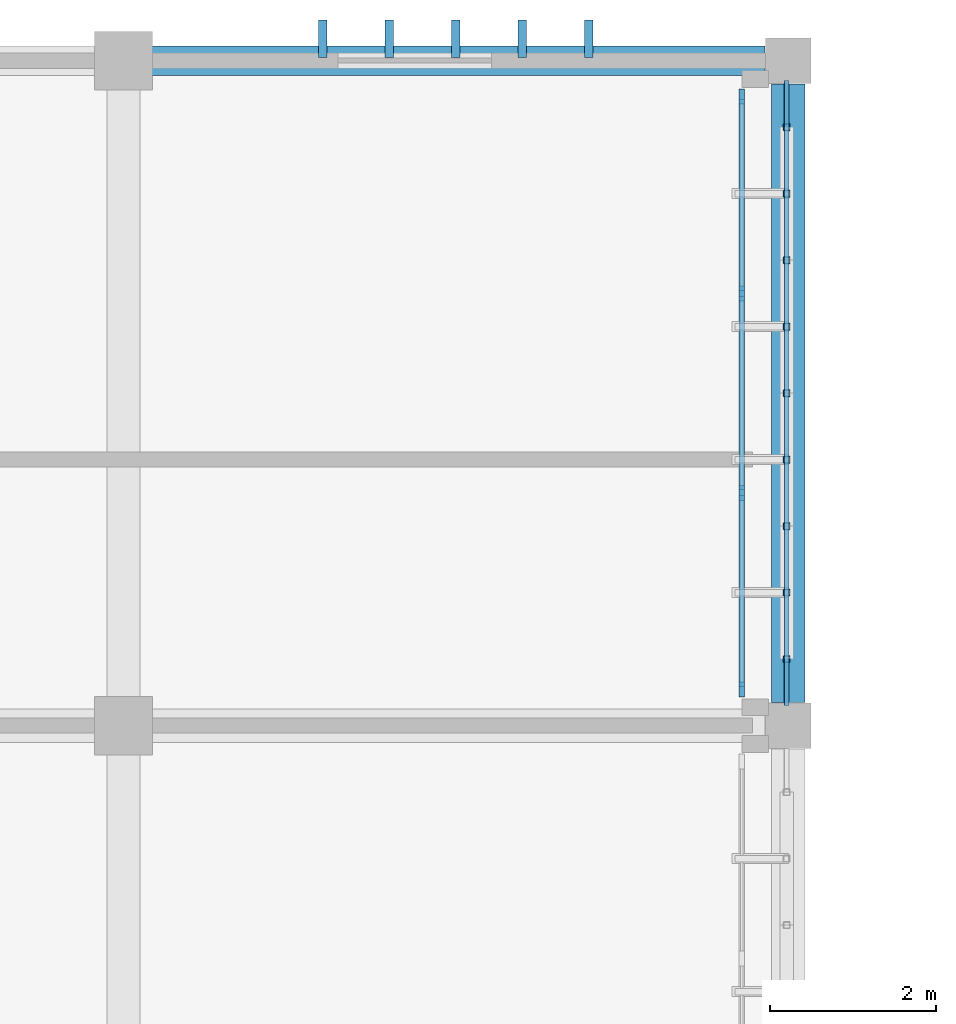
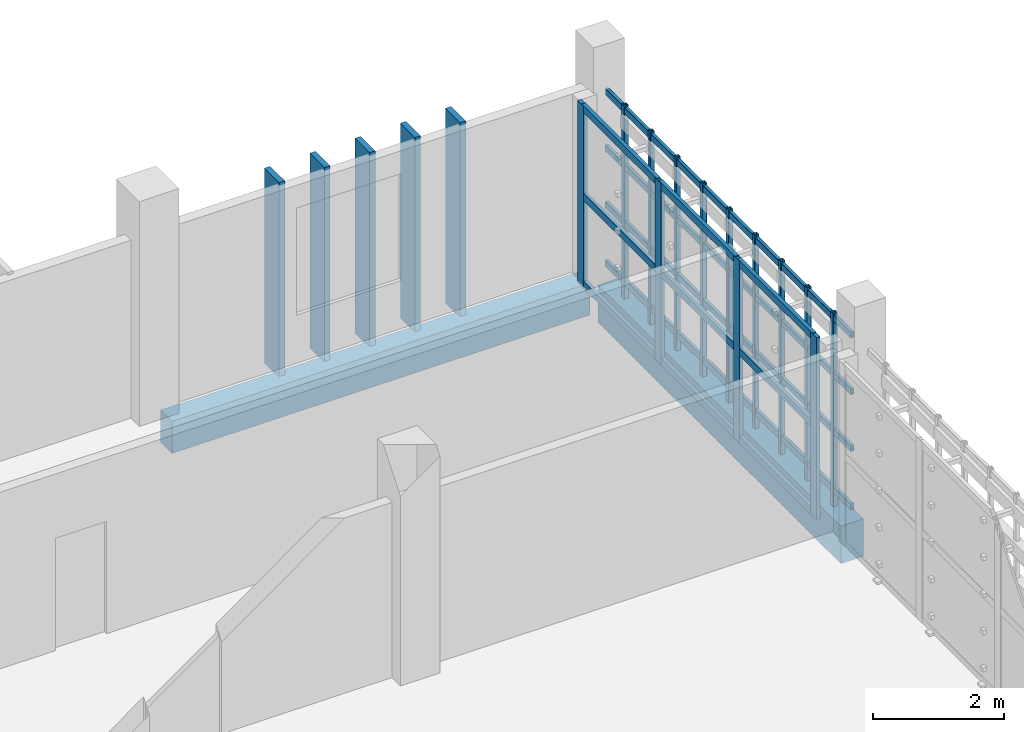
# One storey, part 55 of 83: 31 members, 2 beams, 1 element without a shape of its own.
"""IFC4 building model written with IfcOpenShell, lengths in metres."""

from ifc_helpers import new_model, si_unit, direction, frame, origin, origin_2d, place, context, subcontext, project, spatial, rectangle, hollow_rectangle, extrude, material, layer, layer_set, material_profile, profile_set, type_object, element, aggregate, save


model = new_model("IFC4")

# Units and contexts
model_context = context("Model", 3, precision=1e-05, world=origin(), true_north=direction((0.0, 1.0)))
body_context = subcontext(model_context, "Body", "Model", "MODEL_VIEW")
ifc_project = project(units=[si_unit("LENGTHUNIT", "METRE"), si_unit("AREAUNIT", "SQUARE_METRE"), si_unit("VOLUMEUNIT", "CUBIC_METRE"), si_unit("PLANEANGLEUNIT", "RADIAN"), si_unit("MASSUNIT", "GRAM", prefix="KILO")], contexts=[model_context])

# Site, building, storey
site_placement = place(None, origin())
site = spatial("IfcSite", under=ifc_project, at=site_placement, CompositionType="ELEMENT")
building_placement = place(site_placement, origin())
building = spatial("IfcBuilding", under=site, at=building_placement, Name="Jelvoka-Kovrelna Polytechnic", CompositionType="ELEMENT")
storey_placement = place(building_placement, frame((0.0, 0.0, 13.800048828125)))
storey = spatial("IfcBuildingStorey", under=building, at=storey_placement, Name="L04", CompositionType="ELEMENT", Elevation=13.800048828125)

# Beam
ifc_material_1 = material(Name="Concrete C40/50", Category="concrete")
ifc_material_profile_1 = material_profile(ifc_material_1, rectangle(XDim=0.39990234375, YDim=0.699951171875, at=origin_2d()), Name="RC 400x700")
ifc_profile_set_1 = profile_set([ifc_material_profile_1], Name="Concrete C40/50")
beam_type_1 = type_object("IfcBeamType", Name="Beam_RC_400x700", PredefinedType="BEAM", material=ifc_profile_set_1)
beam_1_placement = place(storey_placement, frame((192.0, 64.280029296875, -0.60009765625), z_axis=(0.0, 1.0, 0.0), x_axis=(-1.0, 0.0, 0.0)))
element("IfcBeam", 1, at=beam_1_placement, inside=storey, type_object=beam_type_1, Name="L04 beam 1341", PredefinedType="BEAM", context=body_context, shape_type="SweptSolid", body=[
    extrude(rectangle(XDim=0.39990234375, YDim=0.699951171875, at=origin_2d()), origin(), (0.0, 0.0, 1.0), 7.43994140625),
])

# Members
ifc_material_2 = material(Name="Precast concrete C40/50", Category="concrete")
ifc_material_profile_2 = material_profile(ifc_material_2, rectangle(XDim=0.10009765625, YDim=0.449951171875, at=origin_2d()), Name="PC 100x450")
ifc_profile_set_2 = profile_set([ifc_material_profile_2], Name="Precast concrete C40/50")
member_type_1 = type_object("IfcMemberType", Name="Louvre_Fin_100x450", PredefinedType="USERDEFINED", material=ifc_profile_set_2)
for number, where, z_axis, x_axis, name in (
    (2, (186.39990234375, 72.264892578125, -0.27001953125), (0.0, 0.0, 1.0), (1.0, 0.0, 0.0), "L04 B3 north vertical solar louvre fin 1776"),
    (3, (187.199951171875, 72.264892578125, -0.27001953125), (0.0, 0.0, 1.0), (1.0, 0.0, 0.0), "L04 B3 north vertical solar louvre fin 1777"),
    (4, (188.0, 72.264892578125, -0.27001953125), (0.0, 0.0, 1.0), (1.0, 0.0, 0.0), "L04 B3 north vertical solar louvre fin 1778"),
    (5, (188.800048828125, 72.264892578125, -0.27001953125), (0.0, 0.0, 1.0), (1.0, 0.0, 0.0), "L04 B3 north vertical solar louvre fin 1779"),
    (6, (189.60009765625, 72.264892578125, -0.27001953125), (0.0, 0.0, 1.0), (1.0, 0.0, 0.0), "L04 B3 north vertical solar louvre fin 1780"),
):
    element("IfcMember", number, at=place(storey_placement, frame(where, z_axis=z_axis, x_axis=x_axis)), inside=storey, type_object=member_type_1, Name=name, ObjectType="SUNSHADE", PredefinedType="USERDEFINED", context=body_context, shape_type="SweptSolid", body=[
        extrude(rectangle(XDim=0.10009765625, YDim=0.449951171875, at=origin_2d()), origin(), (0.0, 0.0, 1.0), 3.64501953125),
    ])
ifc_material_3 = material(Name="Structural steel S355J2H", Category="steel")
ifc_material_profile_3 = material_profile(ifc_material_3, hollow_rectangle(XDim=0.06005859375, YDim=0.1201171875, WallThickness=0.0048828125, InnerFilletRadius=0.0048828125, OuterFilletRadius=0.007568359375, at=origin_2d()), Name="120x60x5.0 RHS")
ifc_profile_set_3 = profile_set([ifc_material_profile_3], Name="Structural steel S355J2H")
member_type_2 = type_object("IfcMemberType", Name="Member_Strut_RHS120", PredefinedType="STRUT", material=ifc_profile_set_3)
for number, where, z_axis, x_axis, name in (
    (7, (191.97998046875, 64.239990234375, 0.079833984375), (0.0, 1.0, 0.0), (-1.0, 0.0, 0.0), "L04 terracotta screen horizontal strut 0716"),
    (8, (191.97998046875, 64.239990234375, 1.17138671875), (0.0, 1.0, 0.0), (-1.0, 0.0, 0.0), "L04 terracotta screen horizontal strut 0717"),
    (9, (191.97998046875, 64.239990234375, 2.230712890625), (0.0, 1.0, 0.0), (-1.0, 0.0, 0.0), "L04 terracotta screen horizontal strut 0718"),
    (10, (191.97998046875, 64.239990234375, 3.2900390625), (0.0, 1.0, 0.0), (-1.0, 0.0, 0.0), "L04 terracotta screen horizontal strut 0719"),
):
    element("IfcMember", number, at=place(storey_placement, frame(where, z_axis=z_axis, x_axis=x_axis)), inside=storey, type_object=member_type_2, Name=name, PredefinedType="STRUT", context=body_context, shape_type="SweptSolid", body=[
        extrude(hollow_rectangle(XDim=0.06005859375, YDim=0.1201171875, WallThickness=0.0048828125, InnerFilletRadius=0.0048828125, OuterFilletRadius=0.007568359375, at=origin_2d()), origin(), (0.0, 0.0, 1.0), 7.52001953125),
    ])
ifc_material_4 = material(Name="Structural steel S355J2H", Category="steel")
ifc_material_profile_4 = material_profile(ifc_material_4, hollow_rectangle(XDim=0.080078125, YDim=0.080078125, WallThickness=0.0048828125, InnerFilletRadius=0.0048828125, OuterFilletRadius=0.007568359375, at=origin_2d()), Name="80x80x5.0 SHS")
ifc_profile_set_4 = profile_set([ifc_material_profile_4], Name="Structural steel S355J2H")
member_type_3 = type_object("IfcMemberType", Name="Member_Strut_SHS80", PredefinedType="STRUT", material=ifc_profile_set_4)
for number, where, z_axis, x_axis, name in (
    (11, (191.97998046875, 64.800048828125, -0.22998046875), (0.0, 0.0, 1.0), (1.0, 0.0, 0.0), "L04 terracotta lattice vertical rib 0720"),
    (12, (191.97998046875, 65.60009765625, -0.22998046875), (0.0, 0.0, 1.0), (1.0, 0.0, 0.0), "L04 terracotta lattice vertical rib 0721"),
    (13, (191.97998046875, 66.39990234375, -0.22998046875), (0.0, 0.0, 1.0), (1.0, 0.0, 0.0), "L04 terracotta lattice vertical rib 0722"),
    (14, (191.97998046875, 67.199951171875, -0.22998046875), (0.0, 0.0, 1.0), (1.0, 0.0, 0.0), "L04 terracotta lattice vertical rib 0723"),
    (15, (191.97998046875, 68.0, -0.22998046875), (0.0, 0.0, 1.0), (1.0, 0.0, 0.0), "L04 terracotta lattice vertical rib 0724"),
    (16, (191.97998046875, 68.800048828125, -0.22998046875), (0.0, 0.0, 1.0), (1.0, 0.0, 0.0), "L04 terracotta lattice vertical rib 0725"),
    (17, (191.97998046875, 69.60009765625, -0.22998046875), (0.0, 0.0, 1.0), (1.0, 0.0, 0.0), "L04 terracotta lattice vertical rib 0726"),
    (18, (191.97998046875, 70.39990234375, -0.22998046875), (0.0, 0.0, 1.0), (1.0, 0.0, 0.0), "L04 terracotta lattice vertical rib 0727"),
    (19, (191.97998046875, 71.199951171875, -0.22998046875), (0.0, 0.0, 1.0), (1.0, 0.0, 0.0), "L04 terracotta lattice vertical rib 0728"),
):
    element("IfcMember", number, at=place(storey_placement, frame(where, z_axis=z_axis, x_axis=x_axis)), inside=storey, type_object=member_type_3, Name=name, PredefinedType="STRUT", context=body_context, shape_type="SweptSolid", body=[
        extrude(hollow_rectangle(XDim=0.080078125, YDim=0.080078125, WallThickness=0.0048828125, InnerFilletRadius=0.0048828125, OuterFilletRadius=0.007568359375, at=origin_2d()), origin(), (0.0, 0.0, 1.0), 3.60986328125),
    ])

# Curtain wall, members
ifc_material_5 = material(Name="Anodised aluminium 6063-T6", Category="aluminium")
ifc_layer = layer(ifc_material_5, 0.179931640625)
ifc_layer_set = layer_set([ifc_layer], Name="Anodised aluminium 6063-T6")
curtain_wall_type = type_object("IfcCurtainWallType", Name="CW_Recessed_B", PredefinedType="NOTDEFINED", material=ifc_layer_set)
curtain_wall_placement = place(storey_placement, origin())
curtain_wall = element("IfcCurtainWall", 20, at=curtain_wall_placement, inside=storey, type_object=curtain_wall_type, Name="L04 glazed curtain wall 088", PredefinedType="NOTDEFINED")
ifc_material_6 = material(Name="Anodised aluminium 6063-T6", Category="aluminium")
ifc_material_profile_5 = material_profile(ifc_material_6, rectangle(XDim=0.06494140625, YDim=0.179931640625, at=origin_2d()), Name="ALU 65x180")
ifc_profile_set_5 = profile_set([ifc_material_profile_5], Name="Anodised aluminium 6063-T6")
member_type_4 = type_object("IfcMemberType", Name="Mullion_M-02", PredefinedType="MULLION", material=ifc_profile_set_5)
member_1_placement = place(storey_placement, frame((191.43994140625, 71.5673828125, -0.02490234375), z_axis=(0.0, 0.0, 1.0), x_axis=(1.0, 0.0, 0.0)))
member_1 = element("IfcMember", 21, at=member_1_placement, type_object=member_type_4, Name="CW-02 mullion 1", PredefinedType="MULLION", context=body_context, shape_type="SweptSolid", body=[
    extrude(rectangle(XDim=0.06494140625, YDim=0.179931640625, at=origin_2d()), origin(), (0.0, 0.0, 1.0), 3.39990234375),
])
member_2_placement = place(storey_placement, frame((191.43994140625, 69.199951171875, -0.02490234375), z_axis=(0.0, 0.0, 1.0), x_axis=(1.0, 0.0, 0.0)))
member_2 = element("IfcMember", 22, at=member_2_placement, type_object=member_type_4, Name="CW-02 mullion 2", PredefinedType="MULLION", context=body_context, shape_type="SweptSolid", body=[
    extrude(rectangle(XDim=0.06494140625, YDim=0.179931640625, at=origin_2d()), origin(), (0.0, 0.0, 1.0), 3.39990234375),
])
member_3_placement = place(storey_placement, frame((191.43994140625, 66.800048828125, -0.02490234375), z_axis=(0.0, 0.0, 1.0), x_axis=(1.0, 0.0, 0.0)))
member_3 = element("IfcMember", 23, at=member_3_placement, type_object=member_type_4, Name="CW-02 mullion 3", PredefinedType="MULLION", context=body_context, shape_type="SweptSolid", body=[
    extrude(rectangle(XDim=0.06494140625, YDim=0.179931640625, at=origin_2d()), origin(), (0.0, 0.0, 1.0), 3.39990234375),
])
member_4_placement = place(storey_placement, frame((191.43994140625, 64.4326171875, -0.02490234375), z_axis=(0.0, 0.0, 1.0), x_axis=(1.0, 0.0, 0.0)))
member_4 = element("IfcMember", 24, at=member_4_placement, type_object=member_type_4, Name="CW-02 mullion 4", PredefinedType="MULLION", context=body_context, shape_type="SweptSolid", body=[
    extrude(rectangle(XDim=0.06494140625, YDim=0.179931640625, at=origin_2d()), origin(), (0.0, 0.0, 1.0), 3.39990234375),
])

# Beam
ifc_material_7 = material(Name="Concrete C40/50", Category="concrete")
ifc_material_profile_6 = material_profile(ifc_material_7, rectangle(XDim=0.35009765625, YDim=0.60009765625, at=origin_2d()), Name="RC 350x600")
ifc_profile_set_6 = profile_set([ifc_material_profile_6], Name="Concrete C40/50")
beam_type_2 = type_object("IfcBeamType", Name="Spandrel_RC_350x600", PredefinedType="SPANDREL", material=ifc_profile_set_6)
beam_2_placement = place(storey_placement, frame((184.330078125, 72.0, -0.550048828125), z_axis=(1.0, 0.0, 0.0), x_axis=(0.0, 1.0, 0.0)))
element("IfcBeam", 25, at=beam_2_placement, inside=storey, type_object=beam_type_2, Name="L04 beam 1321", PredefinedType="SPANDREL", context=body_context, shape_type="SweptSolid", body=[
    extrude(rectangle(XDim=0.35009765625, YDim=0.60009765625, at=origin_2d()), origin(), (0.0, 0.0, 1.0), 7.389892578125),
])

# Member
ifc_material_8 = material(Name="Anodised aluminium 6063-T6", Category="aluminium")
ifc_material_profile_7 = material_profile(ifc_material_8, rectangle(XDim=0.06494140625, YDim=0.135009765625, at=origin_2d()), Name="ALU 65x135")
ifc_profile_set_7 = profile_set([ifc_material_profile_7], Name="Anodised aluminium 6063-T6")
member_type_5 = type_object("IfcMemberType", Name="Transom_T-02", PredefinedType="USERDEFINED", material=ifc_profile_set_7)
member_5_placement = place(storey_placement, frame((191.43994140625, 71.534912109375, 0.032470703125), z_axis=(0.0, -1.0, 0.0), x_axis=(1.0, 0.0, 0.0)))
member_5 = element("IfcMember", 26, at=member_5_placement, type_object=member_type_5, Name="CW-02 transom 1.1", ObjectType="TRANSOM", PredefinedType="USERDEFINED", context=body_context, shape_type="SweptSolid", body=[
    extrude(rectangle(XDim=0.06494140625, YDim=0.135009765625, at=origin_2d()), origin(), (0.0, 0.0, 1.0), 2.302490234375),
])

member_6_placement = place(storey_placement, frame((191.43994140625, 71.534912109375, 1.675048828125), z_axis=(0.0, -1.0, 0.0), x_axis=(1.0, 0.0, 0.0)))
member_6 = element("IfcMember", 27, at=member_6_placement, type_object=member_type_5, Name="CW-02 transom 1.2", ObjectType="TRANSOM", PredefinedType="USERDEFINED", context=body_context, shape_type="SweptSolid", body=[
    extrude(rectangle(XDim=0.06494140625, YDim=0.135009765625, at=origin_2d()), origin(), (0.0, 0.0, 1.0), 2.302490234375),
])

member_7_placement = place(storey_placement, frame((191.43994140625, 71.534912109375, 3.3173828125), z_axis=(0.0, -1.0, 0.0), x_axis=(1.0, 0.0, 0.0)))
member_7 = element("IfcMember", 28, at=member_7_placement, type_object=member_type_5, Name="CW-02 transom 1.3", ObjectType="TRANSOM", PredefinedType="USERDEFINED", context=body_context, shape_type="SweptSolid", body=[
    extrude(rectangle(XDim=0.06494140625, YDim=0.135009765625, at=origin_2d()), origin(), (0.0, 0.0, 1.0), 2.302490234375),
])

member_8_placement = place(storey_placement, frame((191.43994140625, 69.16748046875, 0.032470703125), z_axis=(0.0, -1.0, 0.0), x_axis=(1.0, 0.0, 0.0)))
member_8 = element("IfcMember", 29, at=member_8_placement, type_object=member_type_5, Name="CW-02 transom 2.1", ObjectType="TRANSOM", PredefinedType="USERDEFINED", context=body_context, shape_type="SweptSolid", body=[
    extrude(rectangle(XDim=0.06494140625, YDim=0.135009765625, at=origin_2d()), origin(), (0.0, 0.0, 1.0), 2.3349609375),
])

member_9_placement = place(storey_placement, frame((191.43994140625, 69.16748046875, 1.675048828125), z_axis=(0.0, -1.0, 0.0), x_axis=(1.0, 0.0, 0.0)))
member_9 = element("IfcMember", 30, at=member_9_placement, type_object=member_type_5, Name="CW-02 transom 2.2", ObjectType="TRANSOM", PredefinedType="USERDEFINED", context=body_context, shape_type="SweptSolid", body=[
    extrude(rectangle(XDim=0.06494140625, YDim=0.135009765625, at=origin_2d()), origin(), (0.0, 0.0, 1.0), 2.3349609375),
])

member_10_placement = place(storey_placement, frame((191.43994140625, 69.16748046875, 3.3173828125), z_axis=(0.0, -1.0, 0.0), x_axis=(1.0, 0.0, 0.0)))
member_10 = element("IfcMember", 31, at=member_10_placement, type_object=member_type_5, Name="CW-02 transom 2.3", ObjectType="TRANSOM", PredefinedType="USERDEFINED", context=body_context, shape_type="SweptSolid", body=[
    extrude(rectangle(XDim=0.06494140625, YDim=0.135009765625, at=origin_2d()), origin(), (0.0, 0.0, 1.0), 2.3349609375),
])

member_11_placement = place(storey_placement, frame((191.43994140625, 66.767578125, 0.032470703125), z_axis=(0.0, -1.0, 0.0), x_axis=(1.0, 0.0, 0.0)))
member_11 = element("IfcMember", 32, at=member_11_placement, type_object=member_type_5, Name="CW-02 transom 3.1", ObjectType="TRANSOM", PredefinedType="USERDEFINED", context=body_context, shape_type="SweptSolid", body=[
    extrude(rectangle(XDim=0.06494140625, YDim=0.135009765625, at=origin_2d()), origin(), (0.0, 0.0, 1.0), 2.302490234375),
])

member_12_placement = place(storey_placement, frame((191.43994140625, 66.767578125, 1.675048828125), z_axis=(0.0, -1.0, 0.0), x_axis=(1.0, 0.0, 0.0)))
member_12 = element("IfcMember", 33, at=member_12_placement, type_object=member_type_5, Name="CW-02 transom 3.2", ObjectType="TRANSOM", PredefinedType="USERDEFINED", context=body_context, shape_type="SweptSolid", body=[
    extrude(rectangle(XDim=0.06494140625, YDim=0.135009765625, at=origin_2d()), origin(), (0.0, 0.0, 1.0), 2.302490234375),
])

member_13_placement = place(storey_placement, frame((191.43994140625, 66.767578125, 3.3173828125), z_axis=(0.0, -1.0, 0.0), x_axis=(1.0, 0.0, 0.0)))
member_13 = element("IfcMember", 34, at=member_13_placement, type_object=member_type_5, Name="CW-02 transom 3.3", ObjectType="TRANSOM", PredefinedType="USERDEFINED", context=body_context, shape_type="SweptSolid", body=[
    extrude(rectangle(XDim=0.06494140625, YDim=0.135009765625, at=origin_2d()), origin(), (0.0, 0.0, 1.0), 2.302490234375),
])

aggregate(curtain_wall, [member_1, member_2, member_3, member_4, member_5, member_6, member_7, member_8, member_9, member_10, member_11, member_12, member_13])

save(model, "model.ifc")
